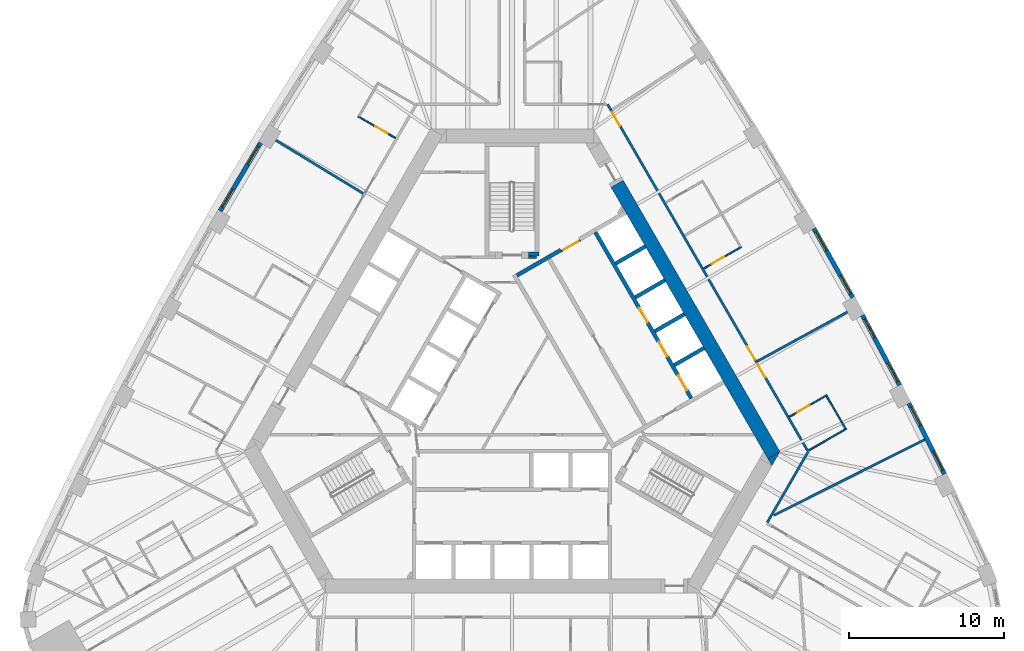
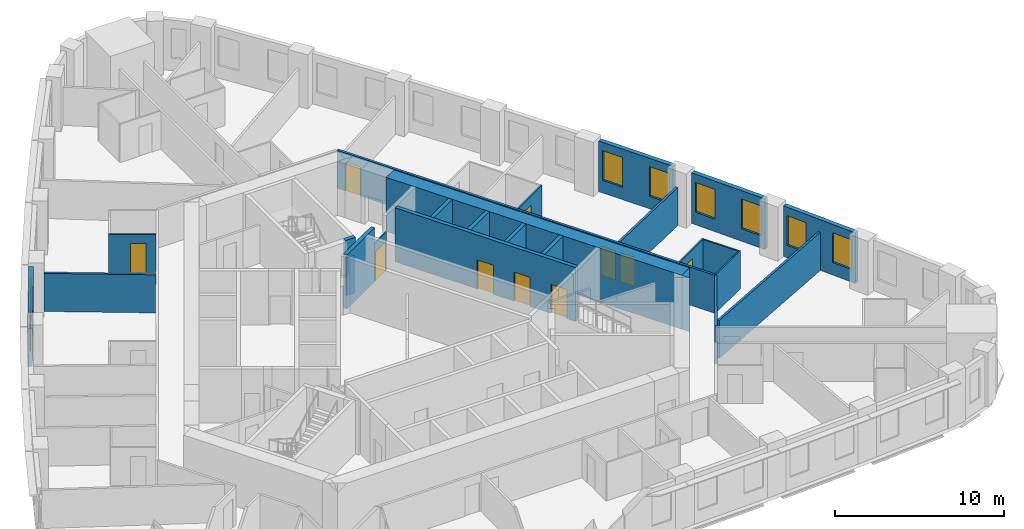
# One storey, part 9 of 12: 25 walls, 10 doors, 8 windows, 18 openings.
"""IFC4 building model written with IfcOpenShell, lengths in metres."""

from ifc_helpers import new_model, si_unit, direction, frame, frame_2d, origin, place, context, subcontext, project, spatial, polyline, rectangle, outline, extrude, material, layer, layer_set, type_object, element, fill, save


model = new_model("IFC4")

# Units and contexts
model_context = context("Model", 3, precision=1e-05, world=origin(), true_north=direction((0.0, 1.0)))
body_context = subcontext(model_context, "Body", "Model", "MODEL_VIEW")
ifc_project = project(units=[si_unit("LENGTHUNIT", "METRE"), si_unit("AREAUNIT", "SQUARE_METRE"), si_unit("VOLUMEUNIT", "CUBIC_METRE"), si_unit("PLANEANGLEUNIT", "RADIAN"), si_unit("MASSUNIT", "GRAM", prefix="KILO")], contexts=[model_context])

# Site, building, storey
site_placement = place(None, origin())
site = spatial("IfcSite", under=ifc_project, at=site_placement, CompositionType="ELEMENT")
building_placement = place(site_placement, origin())
building = spatial("IfcBuilding", under=site, at=building_placement, Name="Mestral Congress Tower", CompositionType="ELEMENT")
storey_placement = place(building_placement, frame((0.0, 0.0, 126.60009765625)))
storey = spatial("IfcBuildingStorey", under=building, at=storey_placement, Name="L30", CompositionType="ELEMENT", Elevation=126.60009765625)

# Wall
ifc_material_1 = material(Name="Fire-rated board partition")
ifc_layer_1 = layer(ifc_material_1, 0.14990234375)
ifc_layer_set_1 = layer_set([ifc_layer_1], Name="Fire-rated board partition")
wall_type_1 = type_object("IfcWallType", Name="Core partition 150", PredefinedType="PARTITIONING", material=ifc_layer_set_1)
wall_1_placement = place(storey_placement, frame((1.050048828125, 8.62548828125, 0.0), z_axis=(0.0, 0.0, 1.0), x_axis=(1.0, 0.0, 0.0)))
element("IfcWall", 1, at=wall_1_placement, inside=storey, type_object=wall_type_1, Name="L30 core wall", PredefinedType="PARTITIONING", context=body_context, shape_type="SweptSolid", body=[
    extrude(rectangle(XDim=0.513916015625, YDim=0.14990234375, at=frame_2d((0.2568359375, 0.0))), origin(), (0.0, 0.0, 1.0), 2.75),
])

# Wall, opening, door
ifc_layer_2 = layer(ifc_material_1, 0.090087890625)
ifc_layer_set_2 = layer_set([ifc_layer_2], Name="Fire-rated board partition")
wall_type_2 = type_object("IfcWallType", Name="Core partition 150 door-wall 90", PredefinedType="PARTITIONING", material=ifc_layer_set_2)
wall_2_placement = place(storey_placement, frame((3.182861328125, 9.02001953125, 0.0), z_axis=(0.0, 0.0, 1.0), x_axis=(0.866034573852, 0.49998411664, 0.0)))
wall_2 = element("IfcWall", 2, at=wall_2_placement, inside=storey, type_object=wall_type_2, Name="L30 door wall", PredefinedType="PARTITIONING", context=body_context, shape_type="SweptSolid", body=[
    extrude(rectangle(XDim=1.39990234375, YDim=0.090087890625, at=frame_2d((0.699951171875, 0.0))), origin(), (0.0, 0.0, 1.0), 2.75),
])
opening_1_placement = place(wall_2_placement, frame((0.10009765625, 0.0, 0.0)))
opening_1 = element("IfcOpeningElement", 3, at=opening_1_placement, cuts=wall_2, Name="Opening LB1-WL2", PredefinedType="OPENING", context=body_context, shape_type="SweptSolid", body=[
    extrude(rectangle(XDim=1.199951171875, YDim=2.10009765625, at=frame_2d((0.60009765625, 1.050048828125))), frame((0.0, 0.054931640625, 0.0), z_axis=(0.0, -1.0, 0.0), x_axis=(1.0, 0.0, 0.0)), (0.0, 0.0, 1.0), 0.110107421875),
])
ifc_material_2 = material(Name="Fire-rated steel door set", Category="steel")
door_type_1 = type_object("IfcDoorType", Name="Core door LB 1200x2100", OperationType="SINGLE_SWING_LEFT", PredefinedType="DOOR", material=ifc_material_2)
door_1_placement = place(opening_1_placement, origin())
door_1 = element("IfcDoor", 4, at=door_1_placement, inside=storey, type_object=door_type_1, Name="Door LB1-WL2", OperationType="SINGLE_SWING_LEFT", OverallHeight=2.10009765625, OverallWidth=1.199951171875, PredefinedType="DOOR", context=body_context, shape_type="SweptSolid", body=[
    extrude(rectangle(XDim=1.199951171875, YDim=2.10009765625, at=frame_2d((0.60009765625, 1.050048828125))), frame((0.0, 0.02490234375, 0.0), z_axis=(0.0, -1.0, 0.0), x_axis=(1.0, 0.0, 0.0)), (0.0, 0.0, 1.0), 0.050048828125),
])
fill(opening_1, door_1)

# Walls
ifc_material_3 = material(Name="Concrete C60/75", Category="concrete")
ifc_layer_3 = layer(ifc_material_3, 0.89990234375)
ifc_layer_set_3 = layer_set([ifc_layer_3], Name="Concrete C60/75")
wall_type_3 = type_object("IfcWallType", Name="Core wall RC 900", PredefinedType="SOLIDWALL", material=ifc_layer_set_3)
wall_3_placement = place(storey_placement, frame((6.77587890625, 13.36376953125, 0.0), z_axis=(0.0, 0.0, 1.0), x_axis=(0.500004177138, -0.8660229921, 0.0)))
element("IfcWall", 5, at=wall_3_placement, inside=storey, type_object=wall_type_3, Name="L30 core wall", PredefinedType="SOLIDWALL", context=body_context, shape_type="SweptSolid", body=[
    extrude(rectangle(XDim=20.203857421875, YDim=0.89990234375, at=frame_2d((10.10205078125, 0.0))), origin(), (0.0, 0.0, 1.0), 3.89990234375),
])
wall_4_placement = place(storey_placement, origin())
element("IfcWall", 6, at=wall_4_placement, inside=storey, type_object=wall_type_3, Name="L30 core wall", PredefinedType="SOLIDWALL", context=body_context, shape_type="SweptSolid", body=[
    extrude(outline(polyline([(16.7431640625, -4.800048828125), (16.4892578125, -4.360107421875), (17.251220703125, -3.920166015625), (16.7431640625, -4.800048828125)])), origin(), (0.0, 0.0, 1.0), 3.89990234375),
])

# Wall, openings, windows
ifc_material_4 = material(Name="Precast concrete C40/50 with limestone facing", Category="masonry")
ifc_layer_4 = layer(ifc_material_4, 0.2900390625)
ifc_layer_set_4 = layer_set([ifc_layer_4], Name="Precast concrete C40/50 with limestone facing")
wall_type_4 = type_object("IfcWallType", Name="Facade stone wall 290", PredefinedType="SOLIDWALL", material=ifc_layer_set_4)
wall_5_placement = place(storey_placement, frame((27.864013671875, -5.336181640625, 0.0), z_axis=(0.0, 0.0, 1.0), x_axis=(-0.448534297211, 0.893765620409, 0.0)))
wall_5 = element("IfcWall", 7, at=wall_5_placement, inside=storey, type_object=wall_type_4, Name="Facade wall F1-01", PredefinedType="SOLIDWALL", context=body_context, shape_type="SweptSolid", body=[
    extrude(rectangle(XDim=5.10009765625, YDim=0.2900390625, at=frame_2d((2.550048828125, 0.0))), origin(), (0.0, 0.0, 1.0), 3.64990234375),
])
opening_2_placement = place(wall_5_placement, frame((0.2724609375, 0.0, 0.89990234375)))
opening_2 = element("IfcOpeningElement", 8, at=opening_2_placement, cuts=wall_5, Name="Opening W2", PredefinedType="OPENING", context=body_context, shape_type="SweptSolid", body=[
    extrude(rectangle(XDim=1.35009765625, YDim=2.14990234375, at=frame_2d((0.675048828125, 1.074951171875))), frame((0.0, 0.155029296875, 0.0), z_axis=(0.0, -1.0, 0.0), x_axis=(1.0, 0.0, 0.0)), (0.0, 0.0, 1.0), 0.31005859375),
])
opening_3_placement = place(wall_5_placement, frame((3.477783203125, 0.0, 0.89990234375)))
opening_3 = element("IfcOpeningElement", 9, at=opening_3_placement, cuts=wall_5, Name="Opening W2", PredefinedType="OPENING", context=body_context, shape_type="SweptSolid", body=[
    extrude(rectangle(XDim=1.35009765625, YDim=2.14990234375, at=frame_2d((0.675048828125, 1.074951171875))), frame((0.0, 0.155029296875, 0.0), z_axis=(0.0, -1.0, 0.0), x_axis=(1.0, 0.0, 0.0)), (0.0, 0.0, 1.0), 0.31005859375),
])
ifc_material_5 = material(Name="Clear low-emissivity double glazing", Category="glass")
window_type = type_object("IfcWindowType", Name="Facade punched window 1350 x 2150 sill 900", PartitioningType="DOUBLE_PANEL_VERTICAL", PredefinedType="WINDOW", material=ifc_material_5)
window_1_placement = place(opening_2_placement, origin())
window_1 = element("IfcWindow", 10, at=window_1_placement, inside=storey, type_object=window_type, Name="Window F1-01a", OverallHeight=2.14990234375, OverallWidth=1.35009765625, PartitioningType="DOUBLE_PANEL_VERTICAL", PredefinedType="WINDOW", context=body_context, shape_type="SweptSolid", body=[
    extrude(rectangle(XDim=1.35009765625, YDim=2.14990234375, at=frame_2d((0.675048828125, 1.074951171875))), frame((0.0, 0.01513671875, 0.0), z_axis=(0.0, -1.0, 0.0), x_axis=(1.0, 0.0, 0.0)), (0.0, 0.0, 1.0), 0.06005859375),
])
fill(opening_2, window_1)
window_2_placement = place(opening_3_placement, origin())
window_2 = element("IfcWindow", 11, at=window_2_placement, inside=storey, type_object=window_type, Name="Window F1-01b", OverallHeight=2.14990234375, OverallWidth=1.35009765625, PartitioningType="DOUBLE_PANEL_VERTICAL", PredefinedType="WINDOW", context=body_context, shape_type="SweptSolid", body=[
    extrude(rectangle(XDim=1.35009765625, YDim=2.14990234375, at=frame_2d((0.675048828125, 1.074951171875))), frame((0.0, 0.01513671875, 0.0), z_axis=(0.0, -1.0, 0.0), x_axis=(1.0, 0.0, 0.0)), (0.0, 0.0, 1.0), 0.06005859375),
])
fill(opening_3, window_2)

wall_6_placement = place(storey_placement, frame((24.976806640625, 0.3828125, 0.0), z_axis=(0.0, 0.0, 1.0), x_axis=(-0.469323203119, 0.883026461106, 0.0)))
wall_6 = element("IfcWall", 12, at=wall_6_placement, inside=storey, type_object=wall_type_4, Name="Facade wall F1-02", PredefinedType="SOLIDWALL", context=body_context, shape_type="SweptSolid", body=[
    extrude(rectangle(XDim=5.1005859375, YDim=0.2900390625, at=frame_2d((2.55029296875, 0.0))), origin(), (0.0, 0.0, 1.0), 3.64990234375),
])
opening_4_placement = place(wall_6_placement, frame((0.272705078125, 0.0, 0.89990234375)))
opening_4 = element("IfcOpeningElement", 13, at=opening_4_placement, cuts=wall_6, Name="Opening W2", PredefinedType="OPENING", context=body_context, shape_type="SweptSolid", body=[
    extrude(rectangle(XDim=1.35009765625, YDim=2.14990234375, at=frame_2d((0.675048828125, 1.074951171875))), frame((0.0, 0.155029296875, 0.0), z_axis=(0.0, -1.0, 0.0), x_axis=(1.0, 0.0, 0.0)), (0.0, 0.0, 1.0), 0.31005859375),
])
opening_5_placement = place(wall_6_placement, frame((3.477783203125, 0.0, 0.89990234375)))
opening_5 = element("IfcOpeningElement", 14, at=opening_5_placement, cuts=wall_6, Name="Opening W2", PredefinedType="OPENING", context=body_context, shape_type="SweptSolid", body=[
    extrude(rectangle(XDim=1.35009765625, YDim=2.14990234375, at=frame_2d((0.675048828125, 1.074951171875))), frame((0.0, 0.155029296875, 0.0), z_axis=(0.0, -1.0, 0.0), x_axis=(1.0, 0.0, 0.0)), (0.0, 0.0, 1.0), 0.31005859375),
])
window_3_placement = place(opening_4_placement, origin())
window_3 = element("IfcWindow", 15, at=window_3_placement, inside=storey, type_object=window_type, Name="Window F1-02a", OverallHeight=2.14990234375, OverallWidth=1.35009765625, PartitioningType="DOUBLE_PANEL_VERTICAL", PredefinedType="WINDOW", context=body_context, shape_type="SweptSolid", body=[
    extrude(rectangle(XDim=1.35009765625, YDim=2.14990234375, at=frame_2d((0.675048828125, 1.074951171875))), frame((0.0, 0.01513671875, 0.0), z_axis=(0.0, -1.0, 0.0), x_axis=(1.0, 0.0, 0.0)), (0.0, 0.0, 1.0), 0.06005859375),
])
fill(opening_4, window_3)
window_4_placement = place(opening_5_placement, origin())
window_4 = element("IfcWindow", 16, at=window_4_placement, inside=storey, type_object=window_type, Name="Window F1-02b", OverallHeight=2.14990234375, OverallWidth=1.35009765625, PartitioningType="DOUBLE_PANEL_VERTICAL", PredefinedType="WINDOW", context=body_context, shape_type="SweptSolid", body=[
    extrude(rectangle(XDim=1.35009765625, YDim=2.14990234375, at=frame_2d((0.675048828125, 1.074951171875))), frame((0.0, 0.01513671875, 0.0), z_axis=(0.0, -1.0, 0.0), x_axis=(1.0, 0.0, 0.0)), (0.0, 0.0, 1.0), 0.06005859375),
])
fill(opening_5, window_4)

wall_7_placement = place(storey_placement, frame((21.956298828125, 6.033203125, 0.0), z_axis=(0.0, 0.0, 1.0), x_axis=(-0.48983164787, 0.87181704316, 0.0)))
wall_7 = element("IfcWall", 17, at=wall_7_placement, inside=storey, type_object=wall_type_4, Name="Facade wall F1-03", PredefinedType="SOLIDWALL", context=body_context, shape_type="SweptSolid", body=[
    extrude(rectangle(XDim=5.100341796875, YDim=0.2900390625, at=frame_2d((2.55029296875, 0.0))), origin(), (0.0, 0.0, 1.0), 3.64990234375),
])
opening_6_placement = place(wall_7_placement, frame((0.272705078125, 0.0, 0.89990234375)))
opening_6 = element("IfcOpeningElement", 18, at=opening_6_placement, cuts=wall_7, Name="Opening W2", PredefinedType="OPENING", context=body_context, shape_type="SweptSolid", body=[
    extrude(rectangle(XDim=1.35009765625, YDim=2.14990234375, at=frame_2d((0.675048828125, 1.074951171875))), frame((0.0, 0.155029296875, 0.0), z_axis=(0.0, -1.0, 0.0), x_axis=(1.0, 0.0, 0.0)), (0.0, 0.0, 1.0), 0.31005859375),
])
opening_7_placement = place(wall_7_placement, frame((3.477783203125, 0.0, 0.89990234375)))
opening_7 = element("IfcOpeningElement", 19, at=opening_7_placement, cuts=wall_7, Name="Opening W2", PredefinedType="OPENING", context=body_context, shape_type="SweptSolid", body=[
    extrude(rectangle(XDim=1.35009765625, YDim=2.14990234375, at=frame_2d((0.675048828125, 1.074951171875))), frame((0.0, 0.155029296875, 0.0), z_axis=(0.0, -1.0, 0.0), x_axis=(1.0, 0.0, 0.0)), (0.0, 0.0, 1.0), 0.31005859375),
])
window_5_placement = place(opening_6_placement, origin())
window_5 = element("IfcWindow", 20, at=window_5_placement, inside=storey, type_object=window_type, Name="Window F1-03a", OverallHeight=2.14990234375, OverallWidth=1.35009765625, PartitioningType="DOUBLE_PANEL_VERTICAL", PredefinedType="WINDOW", context=body_context, shape_type="SweptSolid", body=[
    extrude(rectangle(XDim=1.35009765625, YDim=2.14990234375, at=frame_2d((0.675048828125, 1.074951171875))), frame((0.0, 0.01513671875, 0.0), z_axis=(0.0, -1.0, 0.0), x_axis=(1.0, 0.0, 0.0)), (0.0, 0.0, 1.0), 0.06005859375),
])
fill(opening_6, window_5)
window_6_placement = place(opening_7_placement, origin())
window_6 = element("IfcWindow", 21, at=window_6_placement, inside=storey, type_object=window_type, Name="Window F1-03b", OverallHeight=2.14990234375, OverallWidth=1.35009765625, PartitioningType="DOUBLE_PANEL_VERTICAL", PredefinedType="WINDOW", context=body_context, shape_type="SweptSolid", body=[
    extrude(rectangle(XDim=1.35009765625, YDim=2.14990234375, at=frame_2d((0.675048828125, 1.074951171875))), frame((0.0, 0.01513671875, 0.0), z_axis=(0.0, -1.0, 0.0), x_axis=(1.0, 0.0, 0.0)), (0.0, 0.0, 1.0), 0.06005859375),
])
fill(opening_7, window_6)

wall_8_placement = place(storey_placement, frame((-16.203125, 15.998291015625, 0.0), z_axis=(0.0, 0.0, 1.0), x_axis=(-0.510054281659, -0.860142214847, 0.0)))
wall_8 = element("IfcWall", 22, at=wall_8_placement, inside=storey, type_object=wall_type_4, Name="Facade wall F2-03", PredefinedType="SOLIDWALL", context=body_context, shape_type="SweptSolid", body=[
    extrude(rectangle(XDim=5.1005859375, YDim=0.2900390625, at=frame_2d((2.55029296875, 0.0))), origin(), (0.0, 0.0, 1.0), 3.64990234375),
])
opening_8_placement = place(wall_8_placement, frame((0.272705078125, 0.0, 0.89990234375)))
opening_8 = element("IfcOpeningElement", 23, at=opening_8_placement, cuts=wall_8, Name="Opening W2", PredefinedType="OPENING", context=body_context, shape_type="SweptSolid", body=[
    extrude(rectangle(XDim=1.35009765625, YDim=2.14990234375, at=frame_2d((0.675048828125, 1.074951171875))), frame((0.0, 0.155029296875, 0.0), z_axis=(0.0, -1.0, 0.0), x_axis=(1.0, 0.0, 0.0)), (0.0, 0.0, 1.0), 0.31005859375),
])
opening_9_placement = place(wall_8_placement, frame((3.477783203125, 0.0, 0.89990234375)))
opening_9 = element("IfcOpeningElement", 24, at=opening_9_placement, cuts=wall_8, Name="Opening W2", PredefinedType="OPENING", context=body_context, shape_type="SweptSolid", body=[
    extrude(rectangle(XDim=1.35009765625, YDim=2.14990234375, at=frame_2d((0.675048828125, 1.074951171875))), frame((0.0, 0.155029296875, 0.0), z_axis=(0.0, -1.0, 0.0), x_axis=(1.0, 0.0, 0.0)), (0.0, 0.0, 1.0), 0.31005859375),
])
window_7_placement = place(opening_8_placement, origin())
window_7 = element("IfcWindow", 25, at=window_7_placement, inside=storey, type_object=window_type, Name="Window F2-03a", OverallHeight=2.14990234375, OverallWidth=1.35009765625, PartitioningType="DOUBLE_PANEL_VERTICAL", PredefinedType="WINDOW", context=body_context, shape_type="SweptSolid", body=[
    extrude(rectangle(XDim=1.35009765625, YDim=2.14990234375, at=frame_2d((0.675048828125, 1.074951171875))), frame((0.0, 0.01513671875, 0.0), z_axis=(0.0, -1.0, 0.0), x_axis=(1.0, 0.0, 0.0)), (0.0, 0.0, 1.0), 0.06005859375),
])
fill(opening_8, window_7)
window_8_placement = place(opening_9_placement, origin())
window_8 = element("IfcWindow", 26, at=window_8_placement, inside=storey, type_object=window_type, Name="Window F2-03b", OverallHeight=2.14990234375, OverallWidth=1.35009765625, PartitioningType="DOUBLE_PANEL_VERTICAL", PredefinedType="WINDOW", context=body_context, shape_type="SweptSolid", body=[
    extrude(rectangle(XDim=1.35009765625, YDim=2.14990234375, at=frame_2d((0.675048828125, 1.074951171875))), frame((0.0, 0.01513671875, 0.0), z_axis=(0.0, -1.0, 0.0), x_axis=(1.0, 0.0, 0.0)), (0.0, 0.0, 1.0), 0.06005859375),
])
fill(opening_9, window_8)

# Wall, opening, door
ifc_material_6 = material(Name="Gypsum board partition on metal studs with mineral wool", Category="composite")
ifc_layer_5 = layer(ifc_material_6, 0.10009765625)
ifc_layer_set_5 = layer_set([ifc_layer_5], Name="Gypsum board partition on metal studs with mineral wool")
wall_type_5 = type_object("IfcWallType", Name="Hotel partition wall 100", PredefinedType="PARTITIONING", material=ifc_layer_set_5)
wall_9_placement = place(storey_placement, frame((20.296142578125, -0.254150390625, 0.0), z_axis=(0.0, 0.0, 1.0), x_axis=(-0.866034573852, -0.49998411664, 0.0)))
wall_9 = element("IfcWall", 27, at=wall_9_placement, inside=storey, type_object=wall_type_5, Name="L30-h-pod08a", PredefinedType="PARTITIONING", context=body_context, shape_type="SweptSolid", body=[
    extrude(rectangle(XDim=2.7998046875, YDim=0.10009765625, at=frame_2d((1.39990234375, 0.0))), origin(), (0.0, 0.0, 1.0), 2.75),
])
opening_10_placement = place(wall_9_placement, frame((1.300048828125, 0.0, 0.0)))
opening_10 = element("IfcOpeningElement", 28, at=opening_10_placement, cuts=wall_9, Name="Opening H09-016", PredefinedType="OPENING", context=body_context, shape_type="SweptSolid", body=[
    extrude(rectangle(XDim=0.89990234375, YDim=2.10009765625, at=frame_2d((0.449951171875, 1.050048828125))), frame((0.0, 0.06005859375, 0.0), z_axis=(0.0, -1.0, 0.0), x_axis=(1.0, 0.0, 0.0)), (0.0, 0.0, 1.0), 0.1201171875),
])
ifc_material_7 = material(Name="Timber veneer door leaf in timber frame", Category="wood")
door_type_2 = type_object("IfcDoorType", Name="Bathroom door 900", OperationType="SINGLE_SWING_LEFT", PredefinedType="DOOR", material=ifc_material_7)
door_2_placement = place(opening_10_placement, origin())
door_2 = element("IfcDoor", 29, at=door_2_placement, inside=storey, type_object=door_type_2, Name="L30-h-d016", OperationType="SINGLE_SWING_LEFT", OverallHeight=2.10009765625, OverallWidth=0.89990234375, PredefinedType="DOOR", context=body_context, shape_type="SweptSolid", body=[
    extrude(rectangle(XDim=0.89990234375, YDim=2.10009765625, at=frame_2d((0.449951171875, 1.050048828125))), frame((0.0, 0.02490234375, 0.0), z_axis=(0.0, -1.0, 0.0), x_axis=(1.0, 0.0, 0.0)), (0.0, 0.0, 1.0), 0.050048828125),
])
fill(opening_10, door_2)

# Walls
wall_10_placement = place(storey_placement, frame((20.27783203125, -0.322509765625, 0.0), z_axis=(0.0, 0.0, 1.0), x_axis=(0.500001309137, -0.866024647952, 0.0)))
element("IfcWall", 30, at=wall_10_placement, inside=storey, type_object=wall_type_5, Name="L30-h-pod08b", PredefinedType="PARTITIONING", context=body_context, shape_type="SweptSolid", body=[
    extrude(rectangle(XDim=2.39990234375, YDim=0.10009765625, at=frame_2d((1.199951171875, 0.0))), origin(), (0.0, 0.0, 1.0), 2.75),
])
wall_11_placement = place(storey_placement, frame((19.121337890625, -3.819091796875, 0.0), z_axis=(0.0, 0.0, 1.0), x_axis=(0.866034573852, 0.49998411664, 0.0)))
element("IfcWall", 31, at=wall_11_placement, inside=storey, type_object=wall_type_5, Name="L30-h-pod08c", PredefinedType="PARTITIONING", context=body_context, shape_type="SweptSolid", body=[
    extrude(rectangle(XDim=2.7998046875, YDim=0.10009765625, at=frame_2d((1.39990234375, 0.0))), origin(), (0.0, 0.0, 1.0), 2.75),
])

# Wall, opening, door
wall_12_placement = place(storey_placement, frame((12.35546875, 7.89990234375, 0.0), z_axis=(0.0, 0.0, 1.0), x_axis=(0.866034573852, 0.49998411664, 0.0)))
wall_12 = element("IfcWall", 32, at=wall_12_placement, inside=storey, type_object=wall_type_5, Name="L30-h-pod09a", PredefinedType="PARTITIONING", context=body_context, shape_type="SweptSolid", body=[
    extrude(rectangle(XDim=2.7998046875, YDim=0.10009765625, at=frame_2d((1.39990234375, 0.0))), origin(), (0.0, 0.0, 1.0), 2.75),
])
opening_11_placement = place(wall_12_placement, frame((0.60009765625, 0.0, 0.0)))
opening_11 = element("IfcOpeningElement", 33, at=opening_11_placement, cuts=wall_12, Name="Opening H09-018", PredefinedType="OPENING", context=body_context, shape_type="SweptSolid", body=[
    extrude(rectangle(XDim=0.89990234375, YDim=2.10009765625, at=frame_2d((0.449951171875, 1.050048828125))), frame((0.0, 0.06005859375, 0.0), z_axis=(0.0, -1.0, 0.0), x_axis=(1.0, 0.0, 0.0)), (0.0, 0.0, 1.0), 0.1201171875),
])
door_3_placement = place(opening_11_placement, origin())
door_3 = element("IfcDoor", 34, at=door_3_placement, inside=storey, type_object=door_type_2, Name="L30-h-d018", OperationType="SINGLE_SWING_RIGHT", OverallHeight=2.10009765625, OverallWidth=0.89990234375, PredefinedType="DOOR", context=body_context, shape_type="SweptSolid", body=[
    extrude(rectangle(XDim=0.89990234375, YDim=2.10009765625, at=frame_2d((0.449951171875, 1.050048828125))), frame((0.0, 0.02490234375, 0.0), z_axis=(0.0, -1.0, 0.0), x_axis=(1.0, 0.0, 0.0)), (0.0, 0.0, 1.0), 0.050048828125),
])
fill(opening_11, door_3)

wall_13_placement = place(storey_placement, frame((-9.927978515625, 17.7041015625, 0.0), z_axis=(0.0, 0.0, 1.0), x_axis=(0.866034573852, -0.49998411664, 0.0)))
wall_13 = element("IfcWall", 35, at=wall_13_placement, inside=storey, type_object=wall_type_5, Name="L30-h-pod14a", PredefinedType="PARTITIONING", context=body_context, shape_type="SweptSolid", body=[
    extrude(rectangle(XDim=2.7998046875, YDim=0.10009765625, at=frame_2d((1.39990234375, 0.0))), origin(), (0.0, 0.0, 1.0), 2.75),
])
opening_12_placement = place(wall_13_placement, frame((1.300048828125, 0.0, 0.0)))
opening_12 = element("IfcOpeningElement", 36, at=opening_12_placement, cuts=wall_13, Name="Opening H09-028", PredefinedType="OPENING", context=body_context, shape_type="SweptSolid", body=[
    extrude(rectangle(XDim=0.89990234375, YDim=2.10009765625, at=frame_2d((0.449951171875, 1.050048828125))), frame((0.0, 0.06005859375, 0.0), z_axis=(0.0, -1.0, 0.0), x_axis=(1.0, 0.0, 0.0)), (0.0, 0.0, 1.0), 0.1201171875),
])
door_4_placement = place(opening_12_placement, origin())
door_4 = element("IfcDoor", 37, at=door_4_placement, inside=storey, type_object=door_type_2, Name="L30-h-d028", OperationType="SINGLE_SWING_LEFT", OverallHeight=2.10009765625, OverallWidth=0.89990234375, PredefinedType="DOOR", context=body_context, shape_type="SweptSolid", body=[
    extrude(rectangle(XDim=0.89990234375, YDim=2.10009765625, at=frame_2d((0.449951171875, 1.050048828125))), frame((0.0, 0.02490234375, 0.0), z_axis=(0.0, -1.0, 0.0), x_axis=(1.0, 0.0, 0.0)), (0.0, 0.0, 1.0), 0.050048828125),
])
fill(opening_12, door_4)

# Wall
ifc_layer_6 = layer(ifc_material_6, 0.14990234375)
ifc_layer_set_6 = layer_set([ifc_layer_6], Name="Gypsum board partition on metal studs with mineral wool")
wall_type_6 = type_object("IfcWallType", Name="Hotel partition wall 150", PredefinedType="PARTITIONING", material=ifc_layer_set_6)
wall_14_placement = place(storey_placement, frame((19.081298828125, -3.89990234375, 0.0), z_axis=(0.0, 0.0, 1.0), x_axis=(-0.499974327079, -0.866040225545, 0.0)))
element("IfcWall", 38, at=wall_14_placement, inside=storey, type_object=wall_type_6, Name="L30-h-cw02", PredefinedType="PARTITIONING", context=body_context, shape_type="SweptSolid", body=[
    extrude(rectangle(XDim=5.258056640625, YDim=0.14990234375, at=frame_2d((2.62890625, 0.0))), origin(), (0.0, 0.0, 1.0), 2.75),
])

# Wall, openings, doors
wall_15_placement = place(storey_placement, frame((6.1630859375, 18.47509765625, 0.0), z_axis=(0.0, 0.0, 1.0), x_axis=(0.500001317485, -0.866024643133, 0.0)))
wall_15 = element("IfcWall", 39, at=wall_15_placement, inside=storey, type_object=wall_type_6, Name="L30-h-cw03", PredefinedType="PARTITIONING", context=body_context, shape_type="SweptSolid", body=[
    extrude(rectangle(XDim=25.7666015625, YDim=0.14990234375, at=frame_2d((12.88330078125, 0.0))), origin(), (0.0, 0.0, 1.0), 2.75),
])
opening_13_placement = place(wall_15_placement, frame((19.306396484375, 0.0, 0.0)))
opening_13 = element("IfcOpeningElement", 40, at=opening_13_placement, cuts=wall_15, Name="Opening H09-015", PredefinedType="OPENING", context=body_context, shape_type="SweptSolid", body=[
    extrude(rectangle(XDim=1.0, YDim=2.10009765625, at=frame_2d((0.5, 1.050048828125))), frame((0.0, 0.0849609375, 0.0), z_axis=(0.0, -1.0, 0.0), x_axis=(1.0, 0.0, 0.0)), (0.0, 0.0, 1.0), 0.169921875),
])
opening_14_placement = place(wall_15_placement, frame((17.99853515625, 0.0, 0.0)))
opening_14 = element("IfcOpeningElement", 41, at=opening_14_placement, cuts=wall_15, Name="Opening H09-017", PredefinedType="OPENING", context=body_context, shape_type="SweptSolid", body=[
    extrude(rectangle(XDim=1.0, YDim=2.10009765625, at=frame_2d((0.5, 1.050048828125))), frame((0.0, 0.0849609375, 0.0), z_axis=(0.0, -1.0, 0.0), x_axis=(1.0, 0.0, 0.0)), (0.0, 0.0, 1.0), 0.169921875),
])
opening_15_placement = place(wall_15_placement, frame((0.595703125, 0.0, 0.0)))
opening_15 = element("IfcOpeningElement", 42, at=opening_15_placement, cuts=wall_15, Name="Opening H09-019", PredefinedType="OPENING", context=body_context, shape_type="SweptSolid", body=[
    extrude(rectangle(XDim=1.0, YDim=2.10009765625, at=frame_2d((0.5, 1.050048828125))), frame((0.0, 0.0849609375, 0.0), z_axis=(0.0, -1.0, 0.0), x_axis=(1.0, 0.0, 0.0)), (0.0, 0.0, 1.0), 0.169921875),
])
ifc_material_8 = material(Name="Timber veneer door leaf in metal frame", Category="wood")
door_type_3 = type_object("IfcDoorType", Name="Guest room entrance door 1000", OperationType="SINGLE_SWING_LEFT", PredefinedType="DOOR", material=ifc_material_8)
door_5_placement = place(opening_13_placement, origin())
door_5 = element("IfcDoor", 43, at=door_5_placement, inside=storey, type_object=door_type_3, Name="L30-h-d015", OperationType="SINGLE_SWING_LEFT", OverallHeight=2.10009765625, OverallWidth=1.0, PredefinedType="DOOR", context=body_context, shape_type="SweptSolid", body=[
    extrude(rectangle(XDim=1.0, YDim=2.10009765625, at=frame_2d((0.5, 1.050048828125))), frame((0.0, 0.02490234375, 0.0), z_axis=(0.0, -1.0, 0.0), x_axis=(1.0, 0.0, 0.0)), (0.0, 0.0, 1.0), 0.050048828125),
])
fill(opening_13, door_5)
door_6_placement = place(opening_14_placement, origin())
door_6 = element("IfcDoor", 44, at=door_6_placement, inside=storey, type_object=door_type_3, Name="L30-h-d017", OperationType="SINGLE_SWING_RIGHT", OverallHeight=2.10009765625, OverallWidth=1.0, PredefinedType="DOOR", context=body_context, shape_type="SweptSolid", body=[
    extrude(rectangle(XDim=1.0, YDim=2.10009765625, at=frame_2d((0.5, 1.050048828125))), frame((0.0, 0.02490234375, 0.0), z_axis=(0.0, -1.0, 0.0), x_axis=(1.0, 0.0, 0.0)), (0.0, 0.0, 1.0), 0.050048828125),
])
fill(opening_14, door_6)
door_7_placement = place(opening_15_placement, origin())
door_7 = element("IfcDoor", 45, at=door_7_placement, inside=storey, type_object=door_type_3, Name="L30-h-d019", OperationType="SINGLE_SWING_LEFT", OverallHeight=2.10009765625, OverallWidth=1.0, PredefinedType="DOOR", context=body_context, shape_type="SweptSolid", body=[
    extrude(rectangle(XDim=1.0, YDim=2.10009765625, at=frame_2d((0.5, 1.050048828125))), frame((0.0, 0.02490234375, 0.0), z_axis=(0.0, -1.0, 0.0), x_axis=(1.0, 0.0, 0.0)), (0.0, 0.0, 1.0), 0.050048828125),
])
fill(opening_15, door_7)

# Walls
wall_16_placement = place(storey_placement, frame((-15.22509765625, 16.16748046875, 0.0), z_axis=(0.0, 0.0, 1.0), x_axis=(0.854088713274, -0.520127359266, 0.0)))
element("IfcWall", 46, at=wall_16_placement, inside=storey, type_object=wall_type_6, Name="L30-h-pw08", PredefinedType="PARTITIONING", context=body_context, shape_type="SweptSolid", body=[
    extrude(rectangle(XDim=6.61083984375, YDim=0.14990234375, at=frame_2d((3.305419921875, 0.0))), origin(), (0.0, 0.0, 1.0), 2.75),
])
wall_17_placement = place(storey_placement, frame((21.614013671875, 5.1015625, 0.0), z_axis=(0.0, 0.0, 1.0), x_axis=(-0.877484555087, -0.479604895287, 0.0)))
element("IfcWall", 47, at=wall_17_placement, inside=storey, type_object=wall_type_6, Name="L30-h-pw18", PredefinedType="PARTITIONING", context=body_context, shape_type="SweptSolid", body=[
    extrude(rectangle(XDim=6.611083984375, YDim=0.14990234375, at=frame_2d((3.3056640625, 0.0))), origin(), (0.0, 0.0, 1.0), 2.75),
])
wall_18_placement = place(storey_placement, frame((26.590576171875, -3.1220703125, 0.0), z_axis=(0.0, 0.0, 1.0), x_axis=(-0.893766213273, -0.448533115847, 0.0)))
element("IfcWall", 48, at=wall_18_placement, inside=storey, type_object=wall_type_6, Name="L30-h-pw19", PredefinedType="PARTITIONING", context=body_context, shape_type="SweptSolid", body=[
    extrude(rectangle(XDim=10.875244140625, YDim=0.14990234375, at=frame_2d((5.4375, 0.0))), origin(), (0.0, 0.0, 1.0), 2.75),
])
ifc_layer_7 = layer(ifc_material_3, 0.25)
ifc_layer_set_7 = layer_set([ifc_layer_7], Name="Concrete C60/75")
wall_type_7 = type_object("IfcWallType", Name="Shaft wall RC 250", PredefinedType="SOLIDWALL", material=ifc_layer_set_7)
wall_19_placement = place(storey_placement, frame((10.463623046875, 1.676513671875, 0.0), z_axis=(0.0, 0.0, 1.0), x_axis=(0.86605622881, 0.499946605688, 0.0)))
element("IfcWall", 49, at=wall_19_placement, inside=storey, type_object=wall_type_7, Name="L30 core wall", PredefinedType="SOLIDWALL", context=body_context, shape_type="SweptSolid", body=[
    extrude(rectangle(XDim=2.199951171875, YDim=0.25, at=frame_2d((1.10009765625, 0.0))), origin(), (0.0, 0.0, 1.0), 3.89990234375),
])
wall_20_placement = place(storey_placement, frame((0.314208984375, 7.455810546875, 0.0), z_axis=(0.0, 0.0, 1.0), x_axis=(0.866013897511, 0.50001992892, 0.0)))
element("IfcWall", 50, at=wall_20_placement, inside=storey, type_object=wall_type_7, Name="L30 core wall", PredefinedType="SOLIDWALL", context=body_context, shape_type="SweptSolid", body=[
    extrude(rectangle(XDim=3.267822265625, YDim=0.25, at=frame_2d((1.6337890625, 0.0))), origin(), (0.0, 0.0, 1.0), 3.89990234375),
])
for number, where, z_axis, x_axis, name in (
    (51, (6.68359375, 8.2236328125, 0.0), (0.0, 0.0, 1.0), (0.86605622881, 0.499946605688, 0.0), "L30 core wall"),
    (52, (7.943603515625, 6.041259765625, 0.0), (0.0, 0.0, 1.0), (0.86605622881, 0.499946605688, 0.0), "L30 core wall"),
    (53, (9.20361328125, 3.85888671875, 0.0), (0.0, 0.0, 1.0), (0.86605622881, 0.499946605688, 0.0), "L30 core wall"),
):
    element("IfcWall", number, at=place(storey_placement, frame(where, z_axis=z_axis, x_axis=x_axis)), inside=storey, type_object=wall_type_7, Name=name, PredefinedType="SOLIDWALL", context=body_context, shape_type="SweptSolid", body=[
        extrude(rectangle(XDim=2.199951171875, YDim=0.25, at=frame_2d((1.10009765625, 0.0))), origin(), (0.0, 0.0, 1.0), 3.89990234375),
    ])

# Wall, openings, doors
wall_21_placement = place(storey_placement, frame((11.552978515625, -0.460205078125, 0.0), z_axis=(0.0, 0.0, 1.0), x_axis=(-0.500006514828, 0.866021642414, 0.0)))
wall_21 = element("IfcWall", 54, at=wall_21_placement, inside=storey, type_object=wall_type_7, Name="L30 door wall", PredefinedType="SOLIDWALL", context=body_context, shape_type="SweptSolid", body=[
    extrude(rectangle(XDim=12.349853515625, YDim=0.25, at=frame_2d((6.1748046875, 0.0))), origin(), (0.0, 0.0, 1.0), 3.89990234375),
])
opening_16_placement = place(wall_21_placement, frame((0.5849609375, 0.0, 0.0)))
opening_16 = element("IfcOpeningElement", 55, at=opening_16_placement, cuts=wall_21, Name="Opening LD-NEA1", PredefinedType="OPENING", context=body_context, shape_type="SweptSolid", body=[
    extrude(rectangle(XDim=1.10009765625, YDim=2.10009765625, at=frame_2d((0.550048828125, 1.050048828125))), frame((0.0, 0.135009765625, 0.0), z_axis=(0.0, -1.0, 0.0), x_axis=(1.0, 0.0, 0.0)), (0.0, 0.0, 1.0), 0.27001953125),
])
opening_17_placement = place(wall_21_placement, frame((3.10498046875, 0.0, 0.0)))
opening_17 = element("IfcOpeningElement", 56, at=opening_17_placement, cuts=wall_21, Name="Opening LD-NEA2", PredefinedType="OPENING", context=body_context, shape_type="SweptSolid", body=[
    extrude(rectangle(XDim=1.10009765625, YDim=2.10009765625, at=frame_2d((0.550048828125, 1.050048828125))), frame((0.0, 0.135009765625, 0.0), z_axis=(0.0, -1.0, 0.0), x_axis=(1.0, 0.0, 0.0)), (0.0, 0.0, 1.0), 0.27001953125),
])
opening_18_placement = place(wall_21_placement, frame((5.625, 0.0, 0.0)))
opening_18 = element("IfcOpeningElement", 57, at=opening_18_placement, cuts=wall_21, Name="Opening LD-NEA3", PredefinedType="OPENING", context=body_context, shape_type="SweptSolid", body=[
    extrude(rectangle(XDim=1.10009765625, YDim=2.10009765625, at=frame_2d((0.550048828125, 1.050048828125))), frame((0.0, 0.135009765625, 0.0), z_axis=(0.0, -1.0, 0.0), x_axis=(1.0, 0.0, 0.0)), (0.0, 0.0, 1.0), 0.27001953125),
])
door_type_4 = type_object("IfcDoorType", Name="Core door LD 1100x2100", OperationType="DOUBLE_DOOR_SLIDING", PredefinedType="DOOR", material=ifc_material_2)
door_8_placement = place(opening_16_placement, origin())
door_8 = element("IfcDoor", 58, at=door_8_placement, inside=storey, type_object=door_type_4, Name="Door LD-NEA1", OperationType="DOUBLE_DOOR_SLIDING", OverallHeight=2.10009765625, OverallWidth=1.10009765625, PredefinedType="DOOR", context=body_context, shape_type="SweptSolid", body=[
    extrude(rectangle(XDim=1.10009765625, YDim=2.10009765625, at=frame_2d((0.550048828125, 1.050048828125))), frame((0.0, 0.02490234375, 0.0), z_axis=(0.0, -1.0, 0.0), x_axis=(1.0, 0.0, 0.0)), (0.0, 0.0, 1.0), 0.050048828125),
])
fill(opening_16, door_8)
door_9_placement = place(opening_17_placement, origin())
door_9 = element("IfcDoor", 59, at=door_9_placement, inside=storey, type_object=door_type_4, Name="Door LD-NEA2", OperationType="DOUBLE_DOOR_SLIDING", OverallHeight=2.10009765625, OverallWidth=1.10009765625, PredefinedType="DOOR", context=body_context, shape_type="SweptSolid", body=[
    extrude(rectangle(XDim=1.10009765625, YDim=2.10009765625, at=frame_2d((0.550048828125, 1.050048828125))), frame((0.0, 0.02490234375, 0.0), z_axis=(0.0, -1.0, 0.0), x_axis=(1.0, 0.0, 0.0)), (0.0, 0.0, 1.0), 0.050048828125),
])
fill(opening_17, door_9)
door_10_placement = place(opening_18_placement, origin())
door_10 = element("IfcDoor", 60, at=door_10_placement, inside=storey, type_object=door_type_4, Name="Door LD-NEA3", OperationType="DOUBLE_DOOR_SLIDING", OverallHeight=2.10009765625, OverallWidth=1.10009765625, PredefinedType="DOOR", context=body_context, shape_type="SweptSolid", body=[
    extrude(rectangle(XDim=1.10009765625, YDim=2.10009765625, at=frame_2d((0.550048828125, 1.050048828125))), frame((0.0, 0.02490234375, 0.0), z_axis=(0.0, -1.0, 0.0), x_axis=(1.0, 0.0, 0.0)), (0.0, 0.0, 1.0), 0.050048828125),
])
fill(opening_18, door_10)

# Wall
ifc_layer_8 = layer(ifc_material_3, 0.25)
ifc_layer_set_8 = layer_set([ifc_layer_8], Name="Concrete C60/75")
wall_type_8 = type_object("IfcWallType", Name="Stair wall RC 250", PredefinedType="SOLIDWALL", material=ifc_layer_set_8)
wall_22_placement = place(storey_placement, frame((1.050048828125, 8.824951171875, 0.0), z_axis=(0.0, 0.0, 1.0), x_axis=(1.0, 0.0, 0.0)))
element("IfcWall", 61, at=wall_22_placement, inside=storey, type_object=wall_type_8, Name="L30 core wall", PredefinedType="SOLIDWALL", context=body_context, shape_type="SweptSolid", body=[
    extrude(rectangle(XDim=0.675048828125, YDim=0.25, at=frame_2d((0.33740234375, 0.0))), origin(), (0.0, 0.0, 1.0), 3.89990234375),
])

save(model, "model.ifc")
